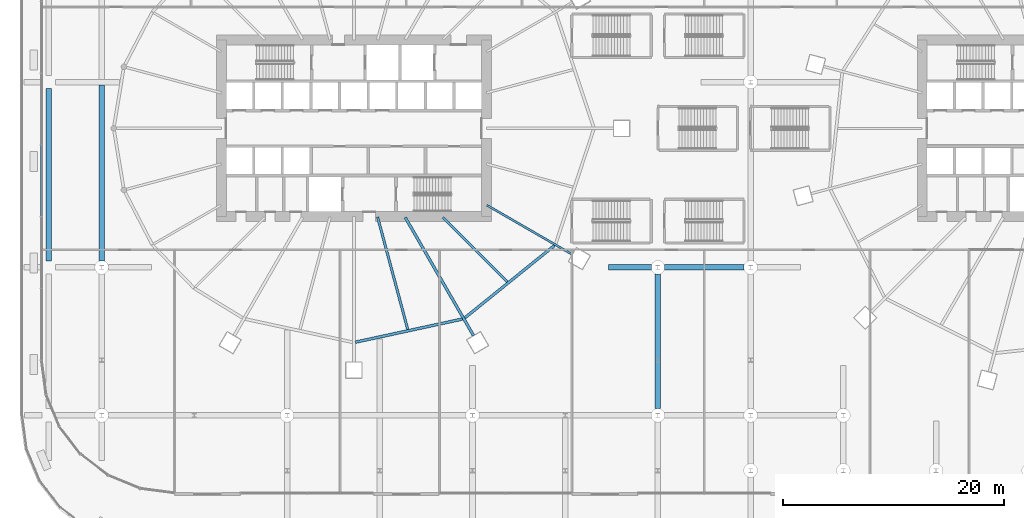
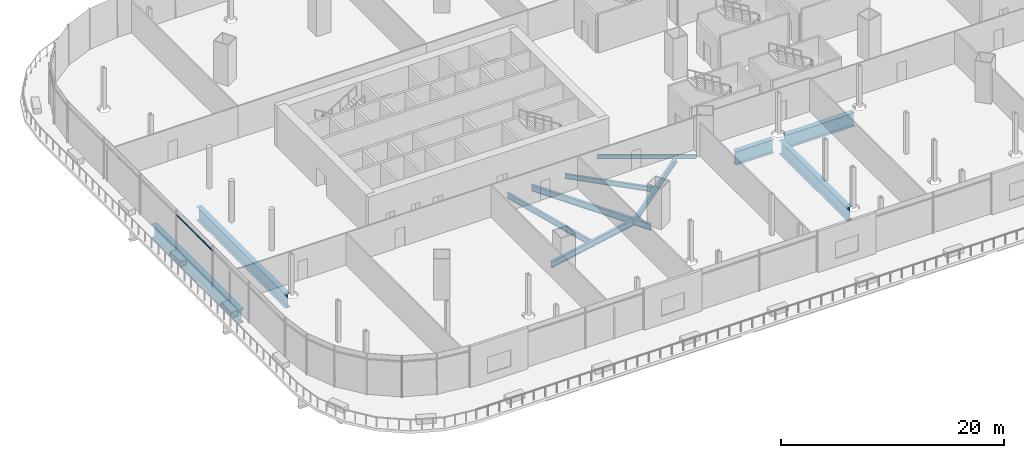
# One storey, part 17 of 56: 11 beams, 1 member, 1 element without a shape of its own.
"""IFC4 building model written with IfcOpenShell, lengths in metres."""

from ifc_helpers import new_model, si_unit, direction, frame, origin, origin_2d, place, context, subcontext, project, spatial, rectangle, i_section, extrude, material, material_profile, profile_set, type_object, element, aggregate, save


model = new_model("IFC4")

# Units and contexts
model_context = context("Model", 3, precision=1e-05, world=origin(), true_north=direction((0.0, 1.0)))
body_context = subcontext(model_context, "Body", "Model", "MODEL_VIEW")
ifc_project = project(units=[si_unit("LENGTHUNIT", "METRE"), si_unit("AREAUNIT", "SQUARE_METRE"), si_unit("VOLUMEUNIT", "CUBIC_METRE"), si_unit("PLANEANGLEUNIT", "RADIAN"), si_unit("MASSUNIT", "GRAM", prefix="KILO")], contexts=[model_context])

# Site, building, storey
site_placement = place(None, origin())
site = spatial("IfcSite", under=ifc_project, at=site_placement, CompositionType="ELEMENT")
building_placement = place(site_placement, origin())
building = spatial("IfcBuilding", under=site, at=building_placement, Name="Rimbun Link Towers", CompositionType="ELEMENT")
storey_placement = place(building_placement, frame((0.0, 0.0, 16.5)))
storey = spatial("IfcBuildingStorey", under=building, at=storey_placement, Name="L03", CompositionType="ELEMENT", Elevation=16.5)

# Curtain wall, member
ifc_material_1 = material(Name="Aluminium 6063-T6 and low-iron glass", Category="aluminium")
curtain_wall_type = type_object("IfcCurtainWallType", Name="CW3 podium shopfront", PredefinedType="NOTDEFINED", material=ifc_material_1)
curtain_wall_placement = place(storey_placement, origin())
curtain_wall = element("IfcCurtainWall", 1, at=curtain_wall_placement, inside=storey, type_object=curtain_wall_type, Name="CW3 L03 PD", PredefinedType="NOTDEFINED")
ifc_material_2 = material(Name="Aluminium 6063-T6", Category="aluminium")
ifc_material_profile_1 = material_profile(ifc_material_2, rectangle(XDim=0.06005859375, YDim=0.1201171875, at=origin_2d()), Name="TRANSOM 60X120")
ifc_profile_set_1 = profile_set([ifc_material_profile_1], Name="Aluminium 6063-T6")
member_type = type_object("IfcMemberType", Name="CW3 transom 60X120", PredefinedType="USERDEFINED", material=ifc_profile_set_1)
member_placement = place(storey_placement, frame((-60.053955078125, -7.969970703125, 3.89990234375), z_axis=(0.0, 1.0, 0.0), x_axis=(-1.0, 0.0, 0.0)))
member = element("IfcMember", 2, at=member_placement, type_object=member_type, Name="CW3 transom", ObjectType="TRANSOM", PredefinedType="USERDEFINED", context=body_context, shape_type="SweptSolid", body=[
    extrude(rectangle(XDim=0.06005859375, YDim=0.1201171875, at=origin_2d()), origin(), (0.0, 0.0, 1.0), 6.43994140625),
])
aggregate(curtain_wall, [member])

# Beams
ifc_material_3 = material(Name="Steel S355J2", Category="steel")
ifc_material_profile_2 = material_profile(ifc_material_3, i_section(OverallWidth=0.5, OverallDepth=1.5, WebThickness=0.030029296875, FlangeThickness=0.050048828125, at=origin_2d()), Name="PG 1500x500x30/50")
ifc_profile_set_2 = profile_set([ifc_material_profile_2], Name="Steel S355J2")
beam_type_1 = type_object("IfcBeamType", Name="PG 1500x500x30/50", PredefinedType="BEAM", material=ifc_profile_set_2)
beam_1_placement = place(storey_placement, frame((-8.699951171875, -12.60009765625, -1.050048828125), z_axis=(1.0, 0.0, 0.0), x_axis=(0.0, 1.0, 0.0)))
element("IfcBeam", 3, at=beam_1_placement, inside=storey, type_object=beam_type_1, Name="Grid beam L03 -12.6", PredefinedType="BEAM", context=body_context, shape_type="SweptSolid", body=[
    extrude(i_section(OverallWidth=0.5, OverallDepth=1.5, WebThickness=0.030029296875, FlangeThickness=0.050048828125, at=origin_2d()), origin(), (0.0, 0.0, 1.0), 3.89990234375),
])
beam_2_placement = place(storey_placement, frame((-3.60009765625, -12.60009765625, -1.050048828125), z_axis=(1.0, 0.0, 0.0), x_axis=(0.0, 1.0, 0.0)))
element("IfcBeam", 4, at=beam_2_placement, inside=storey, type_object=beam_type_1, Name="Grid beam L03 -12.6", PredefinedType="BEAM", context=body_context, shape_type="SweptSolid", body=[
    extrude(i_section(OverallWidth=0.5, OverallDepth=1.5, WebThickness=0.030029296875, FlangeThickness=0.050048828125, at=origin_2d()), origin(), (0.0, 0.0, 1.0), 7.2001953125),
])
beam_3_placement = place(storey_placement, frame((-59.39990234375, -12.0, -1.050048828125), z_axis=(0.0, 1.0, 0.0), x_axis=(-1.0, 0.0, 0.0)))
element("IfcBeam", 5, at=beam_3_placement, inside=storey, type_object=beam_type_1, Name="Grid beam L03 -59.4", PredefinedType="BEAM", context=body_context, shape_type="SweptSolid", body=[
    extrude(i_section(OverallWidth=0.5, OverallDepth=1.5, WebThickness=0.030029296875, FlangeThickness=0.050048828125, at=origin_2d()), origin(), (0.0, 0.0, 1.0), 15.60009765625),
])
beam_4_placement = place(storey_placement, frame((-54.60009765625, -12.0, -1.050048828125), z_axis=(0.0, 1.0, 0.0), x_axis=(-1.0, 0.0, 0.0)))
element("IfcBeam", 6, at=beam_4_placement, inside=storey, type_object=beam_type_1, Name="Grid beam L03 -54.6", PredefinedType="BEAM", context=body_context, shape_type="SweptSolid", body=[
    extrude(i_section(OverallWidth=0.5, OverallDepth=1.5, WebThickness=0.030029296875, FlangeThickness=0.050048828125, at=origin_2d()), origin(), (0.0, 0.0, 1.0), 15.949951171875),
])
beam_5_placement = place(storey_placement, frame((-4.199951171875, -25.39990234375, -1.050048828125), z_axis=(0.0, 1.0, 0.0), x_axis=(-1.0, 0.0, 0.0)))
element("IfcBeam", 7, at=beam_5_placement, inside=storey, type_object=beam_type_1, Name="Grid beam L03 -4.2", PredefinedType="BEAM", context=body_context, shape_type="SweptSolid", body=[
    extrude(i_section(OverallWidth=0.5, OverallDepth=1.5, WebThickness=0.030029296875, FlangeThickness=0.050048828125, at=origin_2d()), origin(), (0.0, 0.0, 1.0), 12.199951171875),
])
ifc_material_4 = material(Name="Steel S355J2", Category="steel")
ifc_material_profile_3 = material_profile(ifc_material_4, i_section(OverallWidth=0.18994140625, OverallDepth=0.453369140625, WebThickness=0.008544921875, FlangeThickness=0.0126953125, at=origin_2d()), Name="UB 457x191x67")
ifc_profile_set_3 = profile_set([ifc_material_profile_3], Name="Steel S355J2")
beam_type_2 = type_object("IfcBeamType", Name="UB 457x191x67", PredefinedType="BEAM", material=ifc_profile_set_3)
beam_6_placement = place(storey_placement, frame((-19.70166015625, -6.9560546875, -0.526611328125), z_axis=(0.866022633403, -0.500004798411, 0.0), x_axis=(0.500004798411, 0.866022633403, 0.0)))
element("IfcBeam", 8, at=beam_6_placement, inside=storey, type_object=beam_type_2, Name="Radial beam T1 L03 22", PredefinedType="BEAM", context=body_context, shape_type="SweptSolid", body=[
    extrude(i_section(OverallWidth=0.18994140625, OverallDepth=0.453369140625, WebThickness=0.008544921875, FlangeThickness=0.0126953125, at=origin_2d()), origin(), (0.0, 0.0, 1.0), 8.93212890625),
])
ifc_material_5 = material(Name="Steel S355J2", Category="steel")
ifc_material_profile_4 = material_profile(ifc_material_5, i_section(OverallWidth=0.209228515625, OverallDepth=0.533203125, WebThickness=0.010009765625, FlangeThickness=0.015625, at=origin_2d()), Name="UB 533x210x92")
ifc_profile_set_4 = profile_set([ifc_material_profile_4], Name="Steel S355J2")
beam_type_3 = type_object("IfcBeamType", Name="UB 533x210x92", PredefinedType="BEAM", material=ifc_profile_set_4)
beam_7_placement = place(storey_placement, frame((-23.67529296875, -8.07470703125, -0.566650390625), z_axis=(0.707106781187, -0.707106781187, 0.0), x_axis=(0.707106781187, 0.707106781187, 0.0)))
element("IfcBeam", 9, at=beam_7_placement, inside=storey, type_object=beam_type_3, Name="Radial beam T1 L03 21", PredefinedType="BEAM", context=body_context, shape_type="SweptSolid", body=[
    extrude(i_section(OverallWidth=0.209228515625, OverallDepth=0.533203125, WebThickness=0.010009765625, FlangeThickness=0.015625, at=origin_2d()), origin(), (0.0, 0.0, 1.0), 8.239501953125),
])
ifc_material_6 = material(Name="Steel S355J2", Category="steel")
ifc_material_profile_5 = material_profile(ifc_material_6, i_section(OverallWidth=0.2275390625, OverallDepth=0.6025390625, WebThickness=0.010498046875, FlangeThickness=0.014892578125, at=origin_2d()), Name="UB 610x229x101")
ifc_profile_set_5 = profile_set([ifc_material_profile_5], Name="Steel S355J2")
beam_type_4 = type_object("IfcBeamType", Name="UB 610x229x101", PredefinedType="BEAM", material=ifc_profile_set_5)
beam_8_placement = place(storey_placement, frame((-29.598388671875, -8.030517578125, -0.601318359375), z_axis=(0.258844096103, -0.965919113545, 0.0), x_axis=(0.965919113545, 0.258844096103, 0.0)))
element("IfcBeam", 10, at=beam_8_placement, inside=storey, type_object=beam_type_4, Name="Radial beam T1 L03 19", PredefinedType="BEAM", context=body_context, shape_type="SweptSolid", body=[
    extrude(i_section(OverallWidth=0.2275390625, OverallDepth=0.6025390625, WebThickness=0.010498046875, FlangeThickness=0.014892578125, at=origin_2d()), origin(), (0.0, 0.0, 1.0), 10.544921875),
])
ifc_material_7 = material(Name="Steel S355J2", Category="steel")
ifc_material_profile_6 = material_profile(ifc_material_7, i_section(OverallWidth=0.253662109375, OverallDepth=0.68359375, WebThickness=0.012451171875, FlangeThickness=0.01904296875, at=origin_2d()), Name="UB 686x254x140")
ifc_profile_set_6 = profile_set([ifc_material_profile_6], Name="Steel S355J2")
beam_type_5 = type_object("IfcBeamType", Name="UB 686x254x140", PredefinedType="BEAM", material=ifc_profile_set_6)
beam_9_placement = place(storey_placement, frame((-27.093994140625, -8.064208984375, -0.641845703125), z_axis=(0.499992594562, -0.866029679274, 0.0), x_axis=(0.866029679274, 0.499992594562, 0.0)))
element("IfcBeam", 11, at=beam_9_placement, inside=storey, type_object=beam_type_5, Name="Radial beam T1 L03 20", PredefinedType="BEAM", context=body_context, shape_type="SweptSolid", body=[
    extrude(i_section(OverallWidth=0.253662109375, OverallDepth=0.68359375, WebThickness=0.012451171875, FlangeThickness=0.01904296875, at=origin_2d()), origin(), (0.0, 0.0, 1.0), 12.360595703125),
])
beam_10_placement = place(storey_placement, frame((-31.622314453125, -19.375244140625, -0.641845703125), z_axis=(0.977390124833, 0.211443949734, 0.0), x_axis=(-0.211443949734, 0.977390124833, 0.0)))
element("IfcBeam", 12, at=beam_10_placement, inside=storey, type_object=beam_type_5, Name="Edge beam T1 L03 18-20", PredefinedType="BEAM", context=body_context, shape_type="SweptSolid", body=[
    extrude(i_section(OverallWidth=0.253662109375, OverallDepth=0.68359375, WebThickness=0.012451171875, FlangeThickness=0.01904296875, at=origin_2d()), origin(), (0.0, 0.0, 1.0), 9.924072265625),
])
beam_11_placement = place(storey_placement, frame((-21.69091796875, -17.167236328125, -0.641845703125), z_axis=(0.778006680284, 0.628256003102, 0.0), x_axis=(-0.628256003102, 0.778006680284, 0.0)))
element("IfcBeam", 13, at=beam_11_placement, inside=storey, type_object=beam_type_5, Name="Edge beam T1 L03 20-22", PredefinedType="BEAM", context=body_context, shape_type="SweptSolid", body=[
    extrude(i_section(OverallWidth=0.253662109375, OverallDepth=0.68359375, WebThickness=0.012451171875, FlangeThickness=0.01904296875, at=origin_2d()), origin(), (0.0, 0.0, 1.0), 10.4404296875),
])

save(model, "model.ifc")
